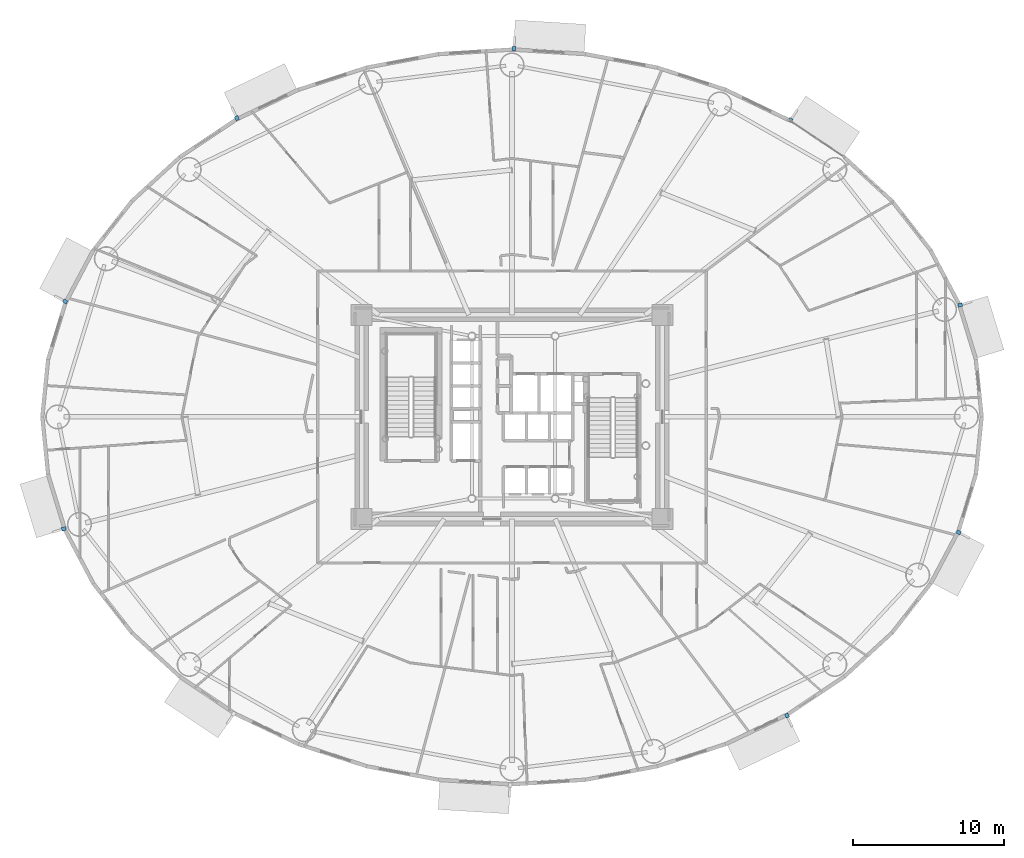
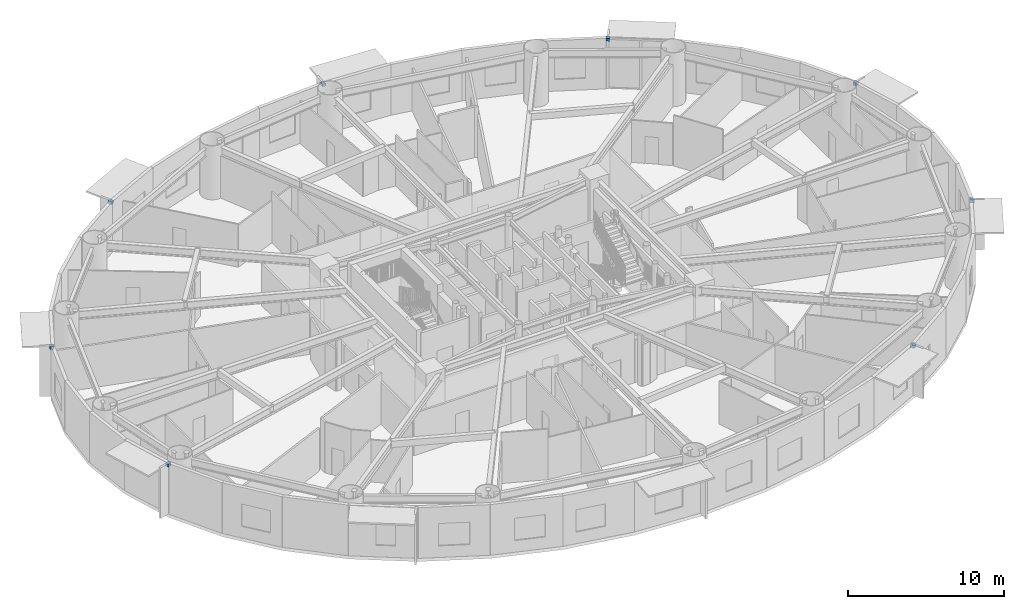
# One storey, part 17 of 24: 8 discrete accessories.
"""IFC4 building model written with IfcOpenShell, lengths in metres."""

from ifc_helpers import new_model, si_unit, direction, frame, origin, origin_2d, place, context, subcontext, project, spatial, rectangle, extrude, source, transform, mapped, material, type_object, element, save


model = new_model("IFC4")

# Units and contexts
model_context = context("Model", 3, precision=1e-05, world=origin(), true_north=direction((0.0, 1.0)))
body_context = subcontext(model_context, "Body", "Model", "MODEL_VIEW")
ifc_project = project(units=[si_unit("LENGTHUNIT", "METRE"), si_unit("AREAUNIT", "SQUARE_METRE"), si_unit("VOLUMEUNIT", "CUBIC_METRE"), si_unit("PLANEANGLEUNIT", "RADIAN"), si_unit("MASSUNIT", "GRAM", prefix="KILO")], contexts=[model_context])

# Site, building, storey
site_placement = place(None, origin())
site = spatial("IfcSite", under=ifc_project, at=site_placement, CompositionType="ELEMENT")
building_placement = place(site_placement, origin())
building = spatial("IfcBuilding", under=site, at=building_placement, Name="Linh Dai School and Residence Tower", CompositionType="ELEMENT")
storey_placement = place(building_placement, frame((0.0, 0.0, 70.199951171875)))
storey = spatial("IfcBuildingStorey", under=building, at=storey_placement, Name="L16", CompositionType="ELEMENT", Elevation=70.199951171875)

# Discrete accessories
ifc_material = material(Name="Structural Steel S355JR", Category="steel")
discrete_accessory_type = type_object("IfcDiscreteAccessoryType", Name="ACC-BRK-S355", PredefinedType="BRACKET", material=ifc_material)
shared_shape = source(origin(), body_context, "Body", "SweptSolid", [
    extrude(rectangle(XDim=0.280029296875, YDim=0.239990234375, at=origin_2d()), origin(), (0.0, 0.0, 1.0), 0.219970703125),
])
for number, where, z_axis, x_axis, name in (
    (1, (65.650146484375, 34.404296875, 3.7001953125), (0.0, 0.0, 1.0), (0.956067769001, 0.293145733514, 0.0), "L16 Facade Frame Anchor Bracket 02"),
    (2, (54.41015625, 46.638916015625, 3.7001953125), (0.0, 0.0, 1.0), (0.555897899828, 0.831250578927, 0.0), "L16 Facade Frame Anchor Bracket 06"),
    (3, (36.12353515625, 51.357421875, 3.7001953125), (0.0, 0.0, 1.0), (0.061506595367, 0.998106677027, 0.0), "L16 Facade Frame Anchor Bracket 10"),
    (4, (17.80517578125, 46.76171875, 3.7001953125), (0.0, 0.0, 1.0), (-0.432603008528, 0.901584514626, 0.0), "L16 Facade Frame Anchor Bracket 14"),
    (5, (6.445556640625, 34.635498046875, 3.7001953125), (0.0, 0.0, 1.0), (-0.883933862645, 0.467611940042, 0.0), "L16 Facade Frame Anchor Bracket 18"),
    (6, (6.349853515625, 19.595703125, 3.7001953125), (0.0, 0.0, 1.0), (-0.956067769001, -0.293145733514, 0.0), "L16 Facade Frame Anchor Bracket 22"),
    (7, (54.19482421875, 7.23828125, 3.7001953125), (0.0, 0.0, 1.0), (0.432603008528, -0.901584514626, 0.0), "L16 Facade Frame Anchor Bracket 34"),
    (8, (65.554443359375, 19.364501953125, 3.7001953125), (0.0, 0.0, 1.0), (0.883933862645, -0.467611940042, 0.0), "L16 Facade Frame Anchor Bracket 38"),
):
    element("IfcDiscreteAccessory", number, at=place(storey_placement, frame(where, z_axis=z_axis, x_axis=x_axis)), inside=storey, type_object=discrete_accessory_type, Name=name, PredefinedType="BRACKET", context=body_context, shape_type="MappedRepresentation", body=[
        mapped(shared_shape, transform((0.0, 0.0, 0.0), x_axis=(1.0, 0.0, 0.0), y_axis=(0.0, 1.0, 0.0), z_axis=(0.0, 0.0, 1.0), scale=1.0)),
    ])

save(model, "model.ifc")
